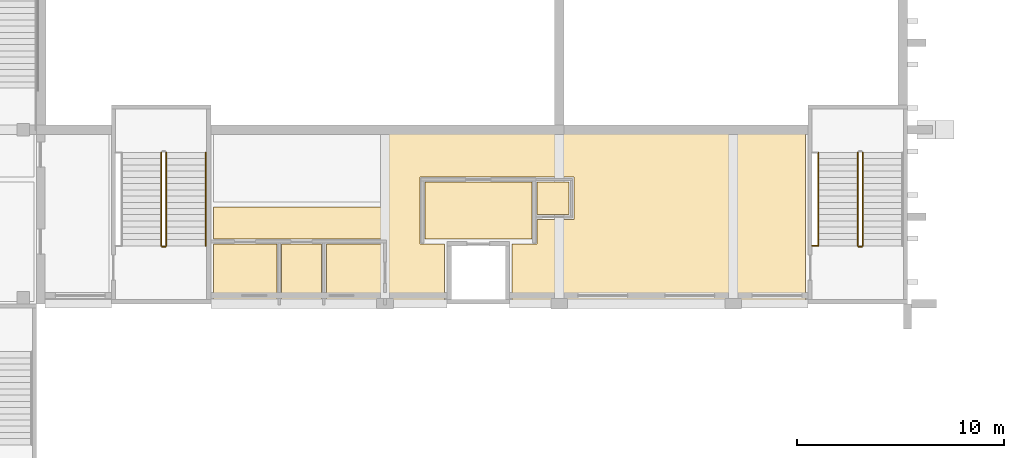
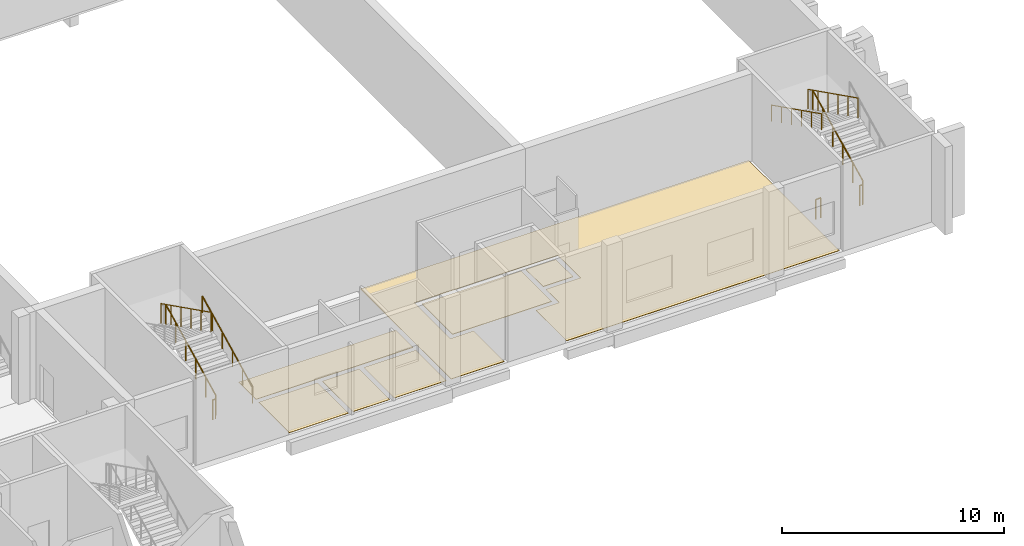
# One storey, part 77 of 91: 9 railings, 7 coverings.
"""IFC4 building model written with IfcOpenShell, lengths in metres."""

from ifc_helpers import new_model, si_unit, direction, frame, origin, origin_2d, place, context, subcontext, project, spatial, polyline, circle, outline, extrude, material, layer, layer_set, type_object, element, save


model = new_model("IFC4")

# Units and contexts
model_context = context("Model", 3, precision=1e-05, world=origin(), true_north=direction((0.0, 1.0)))
body_context = subcontext(model_context, "Body", "Model", "MODEL_VIEW")
ifc_project = project(units=[si_unit("LENGTHUNIT", "METRE"), si_unit("AREAUNIT", "SQUARE_METRE"), si_unit("VOLUMEUNIT", "CUBIC_METRE"), si_unit("PLANEANGLEUNIT", "RADIAN"), si_unit("MASSUNIT", "GRAM", prefix="KILO")], contexts=[model_context])

# Site, building, storey
site_placement = place(None, origin())
site = spatial("IfcSite", under=ifc_project, at=site_placement, CompositionType="ELEMENT")
building_placement = place(site_placement, origin())
building = spatial("IfcBuilding", under=site, at=building_placement, Name="Kiln Court Media Centre", CompositionType="ELEMENT")
storey_placement = place(building_placement, frame((0.0, 0.0, 5.39990234375)))
storey = spatial("IfcBuildingStorey", under=building, at=storey_placement, Name="L01", CompositionType="ELEMENT", Elevation=5.39990234375)

# Coverings
ifc_material_1 = material(Name="Ceramic tile")
ifc_layer_1 = layer(ifc_material_1, 0.011962890625)
ifc_layer_set_1 = layer_set([ifc_layer_1], Name="Ceramic tile floor finish 12")
covering_type_1 = type_object("IfcCoveringType", Name="Ceramic tile floor finish 12", PredefinedType="FLOORING", material=ifc_layer_set_1)
covering_1_placement = place(storey_placement, origin())
element("IfcCovering", 1, at=covering_1_placement, inside=storey, type_object=covering_type_1, Name="Women's WC floor finish", PredefinedType="FLOORING", context=body_context, shape_type="SweptSolid", body=[
    extrude(outline(polyline([(70.3798828125, 25.320068359375), (70.3798828125, 28.080078125), (67.320068359375, 28.080078125), (67.320068359375, 25.320068359375), (70.3798828125, 25.320068359375)])), origin(), (0.0, 0.0, 1.0), 0.01220703125),
])
covering_2_placement = place(storey_placement, origin())
element("IfcCovering", 2, at=covering_2_placement, inside=storey, type_object=covering_type_1, Name="Men's WC floor finish", PredefinedType="FLOORING", context=body_context, shape_type="SweptSolid", body=[
    extrude(outline(polyline([(72.530029296875, 25.320068359375), (72.530029296875, 28.080078125), (70.6201171875, 28.080078125), (70.6201171875, 25.320068359375), (72.530029296875, 25.320068359375)])), origin(), (0.0, 0.0, 1.0), 0.01220703125),
])
covering_3_placement = place(storey_placement, origin())
element("IfcCovering", 3, at=covering_3_placement, inside=storey, type_object=covering_type_1, Name="Accessible WC floor finish", PredefinedType="FLOORING", context=body_context, shape_type="SweptSolid", body=[
    extrude(outline(polyline([(75.47998046875, 25.320068359375), (75.47998046875, 28.080078125), (72.77001953125, 28.080078125), (72.77001953125, 25.320068359375), (75.47998046875, 25.320068359375)])), origin(), (0.0, 0.0, 1.0), 0.01220703125),
])
ifc_material_2 = material(Name="Engineered timber", Category="wood")
ifc_layer_2 = layer(ifc_material_2, 0.02001953125)
ifc_layer_set_2 = layer_set([ifc_layer_2], Name="Engineered timber floor finish 20")
covering_type_2 = type_object("IfcCoveringType", Name="Engineered timber floor finish 20", PredefinedType="FLOORING", material=ifc_layer_set_2)
covering_4_placement = place(storey_placement, origin())
element("IfcCovering", 4, at=covering_4_placement, inside=storey, type_object=covering_type_2, Name="Cinema Lounge floor finish", PredefinedType="FLOORING", context=body_context, shape_type="SweptSolid", body=[
    extrude(outline(polyline([(77.280029296875, 31.320068359375), (84.719970703125, 31.320068359375), (84.719970703125, 29.280029296875), (82.919921875, 29.280029296875), (82.919921875, 28.080078125), (81.719970703125, 28.080078125), (81.719970703125, 25.320068359375), (95.8798828125, 25.320068359375), (95.8798828125, 33.47998046875), (75.719970703125, 33.47998046875), (75.719970703125, 25.320068359375), (78.47998046875, 25.320068359375), (78.47998046875, 28.080078125), (77.280029296875, 28.080078125), (77.280029296875, 31.320068359375)])), origin(), (0.0, 0.0, 1.0), 0.02001953125),
])
ifc_material_3 = material(Name="Terrazzo")
ifc_layer_3 = layer(ifc_material_3, 0.02490234375)
ifc_layer_set_3 = layer_set([ifc_layer_3], Name="Polished terrazzo floor finish 25")
covering_type_3 = type_object("IfcCoveringType", Name="Polished terrazzo floor finish 25", PredefinedType="FLOORING", material=ifc_layer_set_3)
covering_5_placement = place(storey_placement, origin())
element("IfcCovering", 5, at=covering_5_placement, inside=storey, type_object=covering_type_3, Name="Toilet Lobby floor finish", PredefinedType="FLOORING", context=body_context, shape_type="SweptSolid", body=[
    extrude(outline(polyline([(75.47998046875, 28.320068359375), (75.47998046875, 29.8798828125), (67.320068359375, 29.8798828125), (67.320068359375, 28.320068359375), (75.47998046875, 28.320068359375)])), origin(), (0.0, 0.0, 1.0), 0.025146484375),
])
covering_6_placement = place(storey_placement, origin())
element("IfcCovering", 6, at=covering_6_placement, inside=storey, type_object=covering_type_3, Name="Fire-fighting Lift Lobby floor finish", PredefinedType="FLOORING", context=body_context, shape_type="SweptSolid", body=[
    extrude(outline(polyline([(77.52001953125, 28.320068359375), (82.679931640625, 28.320068359375), (82.679931640625, 31.080078125), (77.52001953125, 31.080078125), (77.52001953125, 28.320068359375)])), origin(), (0.0, 0.0, 1.0), 0.025146484375),
])
covering_7_placement = place(storey_placement, origin())
element("IfcCovering", 7, at=covering_7_placement, inside=storey, type_object=covering_type_3, Name="Wheelchair Refuge floor finish", PredefinedType="FLOORING", context=body_context, shape_type="SweptSolid", body=[
    extrude(outline(polyline([(82.919921875, 29.52001953125), (84.47998046875, 29.52001953125), (84.47998046875, 31.080078125), (82.919921875, 31.080078125), (82.919921875, 29.52001953125)])), origin(), (0.0, 0.0, 1.0), 0.025146484375),
])

# Railings
ifc_material_4 = material(Name="Steel S275", Category="steel")
railing_type_1 = type_object("IfcRailingType", Name="Steel S275 stair guard 1100", PredefinedType="GUARDRAIL", material=ifc_material_4)
railing_1_placement = place(storey_placement, frame((65.050048828125, 28.0, 0.150146484375)))
element("IfcRailing", 8, at=railing_1_placement, inside=storey, type_object=railing_type_1, Name="ST-09 stair guard", PredefinedType="GUARDRAIL", context=body_context, shape_type="SweptSolid", body=[
    extrude(circle(Radius=0.02392578125, at=origin_2d()), frame((0.0, 0.0, 1.076171875), z_axis=(0.0, 0.894427191, 0.4472135955), x_axis=(-1.0, 0.0, 0.0)), (0.0, 0.0, 1.0), 5.03125),
    extrude(circle(Radius=0.02099609375, at=origin_2d()), origin(), (0.0, 0.0, 1.0), 1.052001953125),
    extrude(circle(Radius=0.02099609375, at=origin_2d()), frame((0.0, 0.89990234375, 0.449951171875)), (0.0, 0.0, 1.0), 1.052001953125),
    extrude(circle(Radius=0.02099609375, at=origin_2d()), frame((0.0, 1.800048828125, 0.89990234375)), (0.0, 0.0, 1.0), 1.052001953125),
    extrude(circle(Radius=0.02099609375, at=origin_2d()), frame((0.0, 2.699951171875, 1.35009765625)), (0.0, 0.0, 1.0), 1.052001953125),
    extrude(circle(Radius=0.02099609375, at=origin_2d()), frame((0.0, 3.60009765625, 1.800048828125)), (0.0, 0.0, 1.0), 1.052001953125),
    extrude(circle(Radius=0.02099609375, at=origin_2d()), frame((0.0, 4.5, 2.25)), (0.0, 0.0, 1.0), 1.052001953125),
])
railing_2_placement = place(storey_placement, frame((64.800048828125, 32.5, 2.550048828125)))
element("IfcRailing", 9, at=railing_2_placement, inside=storey, type_object=railing_type_1, Name="ST-09 stair guard", PredefinedType="GUARDRAIL", context=body_context, shape_type="SweptSolid", body=[
    extrude(circle(Radius=0.02392578125, at=origin_2d()), frame((0.0, 0.0, 1.076171875), z_axis=(0.0, -0.894427191, 0.4472135955), x_axis=(1.0, 0.0, 0.0)), (0.0, 0.0, 1.0), 5.03125),
    extrude(circle(Radius=0.02099609375, at=origin_2d()), origin(), (0.0, 0.0, 1.0), 1.052001953125),
    extrude(circle(Radius=0.02099609375, at=origin_2d()), frame((0.0, -0.89990234375, 0.449951171875)), (0.0, 0.0, 1.0), 1.052001953125),
    extrude(circle(Radius=0.02099609375, at=origin_2d()), frame((0.0, -1.800048828125, 0.89990234375)), (0.0, 0.0, 1.0), 1.052001953125),
    extrude(circle(Radius=0.02099609375, at=origin_2d()), frame((0.0, -2.699951171875, 1.35009765625)), (0.0, 0.0, 1.0), 1.052001953125),
    extrude(circle(Radius=0.02099609375, at=origin_2d()), frame((0.0, -3.60009765625, 1.800048828125)), (0.0, 0.0, 1.0), 1.052001953125),
    extrude(circle(Radius=0.02099609375, at=origin_2d()), frame((0.0, -4.5, 2.25)), (0.0, 0.0, 1.0), 1.052001953125),
])
railing_3_placement = place(storey_placement, frame((65.0, 27.949951171875, 0.0)))
element("IfcRailing", 10, at=railing_3_placement, inside=storey, type_object=railing_type_1, Name="ST-09 stair guard", PredefinedType="GUARDRAIL", context=body_context, shape_type="SweptSolid", body=[
    extrude(circle(Radius=0.02392578125, at=origin_2d()), frame((0.0, 0.0, 1.076171875), z_axis=(-1.0, 0.0, 0.0), x_axis=(0.0, -1.0, 0.0)), (0.0, 0.0, 1.0), 0.14990234375),
    extrude(circle(Radius=0.02099609375, at=origin_2d()), origin(), (0.0, 0.0, 1.0), 1.052001953125),
    extrude(circle(Radius=0.02099609375, at=origin_2d()), frame((-0.14990234375, 0.0, 0.0)), (0.0, 0.0, 1.0), 1.052001953125),
])
railing_4_placement = place(storey_placement, frame((98.64990234375, 28.0, 0.150146484375)))
element("IfcRailing", 11, at=railing_4_placement, inside=storey, type_object=railing_type_1, Name="ST-10 stair guard", PredefinedType="GUARDRAIL", context=body_context, shape_type="SweptSolid", body=[
    extrude(circle(Radius=0.02392578125, at=origin_2d()), frame((0.0, 0.0, 1.076171875), z_axis=(0.0, 0.894427191, 0.4472135955), x_axis=(-1.0, 0.0, 0.0)), (0.0, 0.0, 1.0), 5.03125),
    extrude(circle(Radius=0.02099609375, at=origin_2d()), origin(), (0.0, 0.0, 1.0), 1.052001953125),
    extrude(circle(Radius=0.02099609375, at=origin_2d()), frame((0.0, 0.89990234375, 0.449951171875)), (0.0, 0.0, 1.0), 1.052001953125),
    extrude(circle(Radius=0.02099609375, at=origin_2d()), frame((0.0, 1.800048828125, 0.89990234375)), (0.0, 0.0, 1.0), 1.052001953125),
    extrude(circle(Radius=0.02099609375, at=origin_2d()), frame((0.0, 2.699951171875, 1.35009765625)), (0.0, 0.0, 1.0), 1.052001953125),
    extrude(circle(Radius=0.02099609375, at=origin_2d()), frame((0.0, 3.60009765625, 1.800048828125)), (0.0, 0.0, 1.0), 1.052001953125),
    extrude(circle(Radius=0.02099609375, at=origin_2d()), frame((0.0, 4.5, 2.25)), (0.0, 0.0, 1.0), 1.052001953125),
])
railing_5_placement = place(storey_placement, frame((98.39990234375, 32.5, 2.550048828125)))
element("IfcRailing", 12, at=railing_5_placement, inside=storey, type_object=railing_type_1, Name="ST-10 stair guard", PredefinedType="GUARDRAIL", context=body_context, shape_type="SweptSolid", body=[
    extrude(circle(Radius=0.02392578125, at=origin_2d()), frame((0.0, 0.0, 1.076171875), z_axis=(0.0, -0.894427191, 0.4472135955), x_axis=(1.0, 0.0, 0.0)), (0.0, 0.0, 1.0), 5.03125),
    extrude(circle(Radius=0.02099609375, at=origin_2d()), origin(), (0.0, 0.0, 1.0), 1.052001953125),
    extrude(circle(Radius=0.02099609375, at=origin_2d()), frame((0.0, -0.89990234375, 0.449951171875)), (0.0, 0.0, 1.0), 1.052001953125),
    extrude(circle(Radius=0.02099609375, at=origin_2d()), frame((0.0, -1.800048828125, 0.89990234375)), (0.0, 0.0, 1.0), 1.052001953125),
    extrude(circle(Radius=0.02099609375, at=origin_2d()), frame((0.0, -2.699951171875, 1.35009765625)), (0.0, 0.0, 1.0), 1.052001953125),
    extrude(circle(Radius=0.02099609375, at=origin_2d()), frame((0.0, -3.60009765625, 1.800048828125)), (0.0, 0.0, 1.0), 1.052001953125),
    extrude(circle(Radius=0.02099609375, at=origin_2d()), frame((0.0, -4.5, 2.25)), (0.0, 0.0, 1.0), 1.052001953125),
])
railing_6_placement = place(storey_placement, frame((98.60009765625, 27.949951171875, 0.0)))
element("IfcRailing", 13, at=railing_6_placement, inside=storey, type_object=railing_type_1, Name="ST-10 stair guard", PredefinedType="GUARDRAIL", context=body_context, shape_type="SweptSolid", body=[
    extrude(circle(Radius=0.02392578125, at=origin_2d()), frame((0.0, 0.0, 1.076171875), z_axis=(-1.0, 0.0, 0.0), x_axis=(0.0, -1.0, 0.0)), (0.0, 0.0, 1.0), 0.150146484375),
    extrude(circle(Radius=0.02099609375, at=origin_2d()), origin(), (0.0, 0.0, 1.0), 1.052001953125),
    extrude(circle(Radius=0.02099609375, at=origin_2d()), frame((-0.150146484375, 0.0, 0.0)), (0.0, 0.0, 1.0), 1.052001953125),
])
railing_7_placement = place(storey_placement, frame((96.449951171875, 28.0, 0.0)))
element("IfcRailing", 14, at=railing_7_placement, inside=storey, type_object=railing_type_1, Name="ST-10 landing edge guard", PredefinedType="GUARDRAIL", context=body_context, shape_type="SweptSolid", body=[
    extrude(circle(Radius=0.02392578125, at=origin_2d()), frame((0.0, 0.0, 1.076171875), z_axis=(-1.0, 0.0, 0.0), x_axis=(0.0, -1.0, 0.0)), (0.0, 0.0, 1.0), 0.25),
    extrude(circle(Radius=0.02099609375, at=origin_2d()), origin(), (0.0, 0.0, 1.0), 1.052001953125),
    extrude(circle(Radius=0.02099609375, at=origin_2d()), frame((-0.25, 0.0, 0.0)), (0.0, 0.0, 1.0), 1.052001953125),
])
ifc_material_5 = material(Name="Steel S275", Category="steel")
railing_type_2 = type_object("IfcRailingType", Name="Steel S275 stair handrail 900", PredefinedType="HANDRAIL", material=ifc_material_5)
railing_8_placement = place(storey_placement, frame((66.949951171875, 28.0, 0.150146484375)))
element("IfcRailing", 15, at=railing_8_placement, inside=storey, type_object=railing_type_2, Name="ST-09 stair handrail", PredefinedType="HANDRAIL", context=body_context, shape_type="SweptSolid", body=[
    extrude(circle(Radius=0.02392578125, at=origin_2d()), frame((0.0, 0.0, 0.8759765625), z_axis=(0.0, 0.894427191, 0.4472135955), x_axis=(-1.0, 0.0, 0.0)), (0.0, 0.0, 1.0), 5.03125),
    extrude(circle(Radius=0.02099609375, at=origin_2d()), origin(), (0.0, 0.0, 1.0), 0.851806640625),
    extrude(circle(Radius=0.02099609375, at=origin_2d()), frame((0.0, 0.89990234375, 0.449951171875)), (0.0, 0.0, 1.0), 0.851806640625),
    extrude(circle(Radius=0.02099609375, at=origin_2d()), frame((0.0, 1.800048828125, 0.89990234375)), (0.0, 0.0, 1.0), 0.851806640625),
    extrude(circle(Radius=0.02099609375, at=origin_2d()), frame((0.0, 2.699951171875, 1.35009765625)), (0.0, 0.0, 1.0), 0.851806640625),
    extrude(circle(Radius=0.02099609375, at=origin_2d()), frame((0.0, 3.60009765625, 1.800048828125)), (0.0, 0.0, 1.0), 0.851806640625),
    extrude(circle(Radius=0.02099609375, at=origin_2d()), frame((0.0, 4.5, 2.25)), (0.0, 0.0, 1.0), 0.851806640625),
])
railing_9_placement = place(storey_placement, frame((96.5, 32.5, 2.550048828125)))
element("IfcRailing", 16, at=railing_9_placement, inside=storey, type_object=railing_type_2, Name="ST-10 stair handrail", PredefinedType="HANDRAIL", context=body_context, shape_type="SweptSolid", body=[
    extrude(circle(Radius=0.02392578125, at=origin_2d()), frame((0.0, 0.0, 0.8759765625), z_axis=(0.0, -0.894427191, 0.4472135955), x_axis=(1.0, 0.0, 0.0)), (0.0, 0.0, 1.0), 5.03125),
    extrude(circle(Radius=0.02099609375, at=origin_2d()), origin(), (0.0, 0.0, 1.0), 0.851806640625),
    extrude(circle(Radius=0.02099609375, at=origin_2d()), frame((0.0, -0.89990234375, 0.449951171875)), (0.0, 0.0, 1.0), 0.851806640625),
    extrude(circle(Radius=0.02099609375, at=origin_2d()), frame((0.0, -1.800048828125, 0.89990234375)), (0.0, 0.0, 1.0), 0.851806640625),
    extrude(circle(Radius=0.02099609375, at=origin_2d()), frame((0.0, -2.699951171875, 1.35009765625)), (0.0, 0.0, 1.0), 0.851806640625),
    extrude(circle(Radius=0.02099609375, at=origin_2d()), frame((0.0, -3.60009765625, 1.800048828125)), (0.0, 0.0, 1.0), 0.851806640625),
    extrude(circle(Radius=0.02099609375, at=origin_2d()), frame((0.0, -4.5, 2.25)), (0.0, 0.0, 1.0), 0.851806640625),
])

save(model, "model.ifc")
